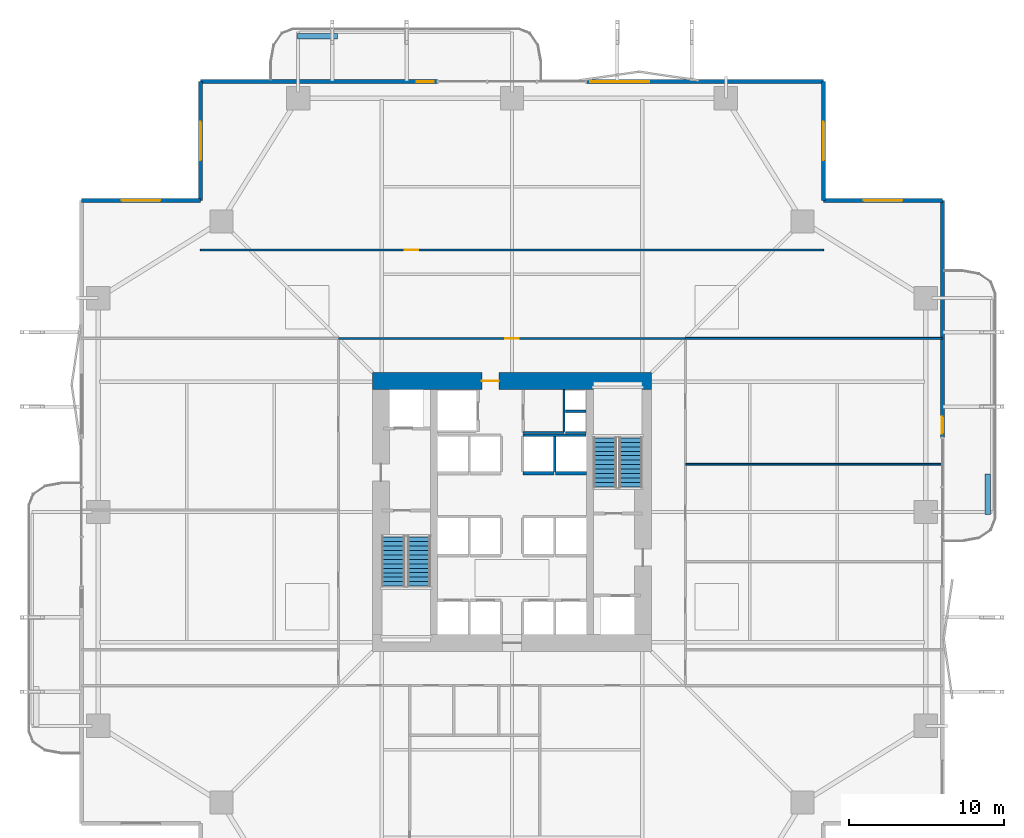
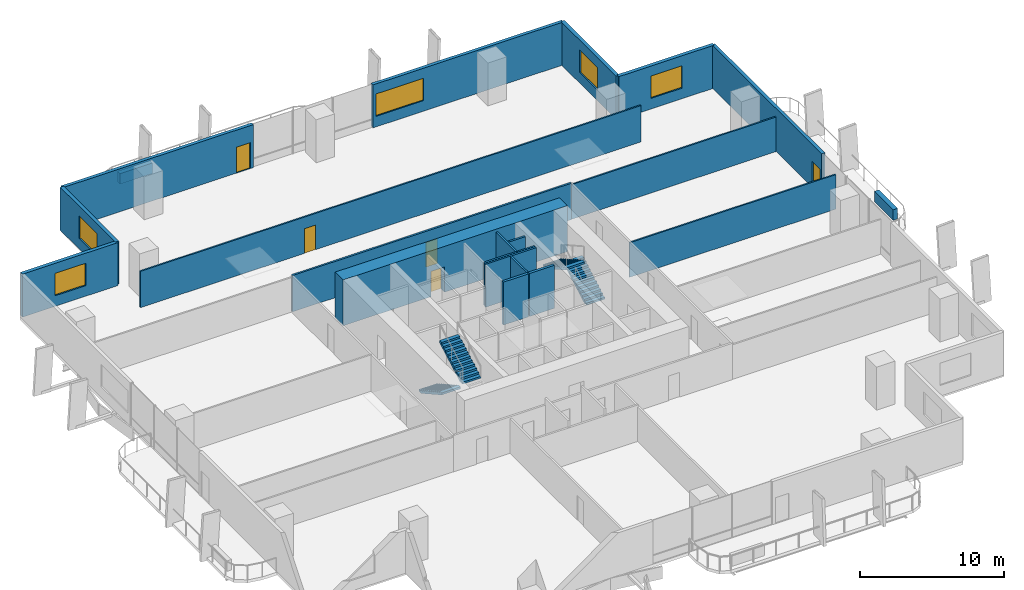
# One storey, part 19 of 24: 22 walls, 5 doors, 5 windows, 4 stair flights, 10 openings, 2 elements without a shape of their own.
"""IFC4 building model written with IfcOpenShell, lengths in metres."""

from ifc_helpers import new_model, si_unit, direction, frame, frame_2d, origin, place, context, subcontext, project, spatial, polyline, rectangle, outline, extrude, material, layer, layer_set, type_object, element, fill, aggregate, save


model = new_model("IFC4")

# Units and contexts
model_context = context("Model", 3, precision=1e-05, world=origin(), true_north=direction((0.0, 1.0)))
body_context = subcontext(model_context, "Body", "Model", "MODEL_VIEW")
ifc_project = project(units=[si_unit("LENGTHUNIT", "METRE"), si_unit("AREAUNIT", "SQUARE_METRE"), si_unit("VOLUMEUNIT", "CUBIC_METRE"), si_unit("PLANEANGLEUNIT", "RADIAN"), si_unit("MASSUNIT", "GRAM", prefix="KILO")], contexts=[model_context])

# Site, building, storey
site_placement = place(None, origin())
site = spatial("IfcSite", under=ifc_project, at=site_placement, CompositionType="ELEMENT")
building_placement = place(site_placement, origin())
building = spatial("IfcBuilding", under=site, at=building_placement, Name="Belovzor Exchange Tower", CompositionType="ELEMENT")
storey_placement = place(building_placement, frame((0.0, 0.0, 37.800048828125)))
storey = spatial("IfcBuildingStorey", under=building, at=storey_placement, Name="L08", CompositionType="ELEMENT", Elevation=37.800048828125)

# Wall, opening, door
ifc_material_1 = material(Name="Acoustic Plasterboard on Galvanised Studs", Category="gypsum")
ifc_layer_1 = layer(ifc_material_1, 0.1201171875)
ifc_layer_set_1 = layer_set([ifc_layer_1], Name="Acoustic Plasterboard on Galvanised Studs")
wall_type_1 = type_object("IfcWallType", Name="Acoustic Double-Stud Partition Wall 120", PredefinedType="PARTITIONING", material=ifc_layer_set_1)
wall_1_placement = place(storey_placement, frame((8.699951171875, 45.7099609375, 0.0), z_axis=(0.0, 0.0, 1.0), x_axis=(1.0, 0.0, 0.0)))
wall_1 = element("IfcWall", 1, at=wall_1_placement, inside=storey, type_object=wall_type_1, Name="W-P120 Partition Wall W-L08-NHDIV-0", PredefinedType="PARTITIONING", context=body_context, shape_type="SweptSolid", body=[
    extrude(rectangle(XDim=40.199951171875, YDim=0.1201171875, at=frame_2d((20.10009765625, 0.0))), origin(), (0.0, 0.0, 1.0), 3.0849609375),
])
opening_1_placement = place(wall_1_placement, frame((13.1669921875, 0.0, 0.0)))
opening_1 = element("IfcOpeningElement", 2, at=opening_1_placement, cuts=wall_1, Name="Opening D-INT-090", PredefinedType="OPENING", context=body_context, shape_type="SweptSolid", body=[
    extrude(rectangle(XDim=0.89990234375, YDim=2.10009765625, at=frame_2d((0.449951171875, 1.050048828125))), frame((0.0, 0.070068359375, 0.0), z_axis=(0.0, -1.0, 0.0), x_axis=(1.0, 0.0, 0.0)), (0.0, 0.0, 1.0), 0.14013671875),
])
ifc_material_2 = material(Name="Veneered Hardwood Acoustic Leaf", Category="wood")
door_type_1 = type_object("IfcDoorType", Name="Trading Suite Acoustic Single Door 900x2100", OperationType="NOTDEFINED", PredefinedType="DOOR", material=ifc_material_2)
door_1_placement = place(opening_1_placement, origin())
door_1 = element("IfcDoor", 3, at=door_1_placement, inside=storey, type_object=door_type_1, Name="D-INT-090 Trading Suite Acoustic Single Door 900x2100", OperationType="SINGLE_SWING_RIGHT", OverallHeight=2.10009765625, OverallWidth=0.89990234375, PredefinedType="DOOR", context=body_context, shape_type="SweptSolid", body=[
    extrude(rectangle(XDim=0.89990234375, YDim=2.10009765625, at=frame_2d((0.449951171875, 1.050048828125))), frame((0.0, 0.02490234375, 0.0), z_axis=(0.0, -1.0, 0.0), x_axis=(1.0, 0.0, 0.0)), (0.0, 0.0, 1.0), 0.050048828125),
])
fill(opening_1, door_1)

# Walls
for number, where, z_axis, x_axis, name in (
    (4, (40.0, 40.0, 0.0), (0.0, 0.0, 1.0), (1.0, 0.0, 0.0), "W-P120 Partition Wall W-L08-END-NE"),
    (5, (40.0, 31.884033203125, 0.0), (0.0, 0.0, 1.0), (1.0, 0.0, 0.0), "W-P120 Partition Wall W-L08-EDIV-3"),
):
    element("IfcWall", number, at=place(storey_placement, frame(where, z_axis=z_axis, x_axis=x_axis)), inside=storey, type_object=wall_type_1, Name=name, PredefinedType="PARTITIONING", context=body_context, shape_type="SweptSolid", body=[
        extrude(rectangle(XDim=16.570068359375, YDim=0.1201171875, at=frame_2d((8.28515625, 0.0))), origin(), (0.0, 0.0, 1.0), 2.93505859375),
    ])
ifc_material_3 = material(Name="Fire-Rated Gypsum Block and Mineral Wool", Category="gypsum")
ifc_layer_2 = layer(ifc_material_3, 0.14990234375)
ifc_layer_set_2 = layer_set([ifc_layer_2], Name="Fire-Rated Gypsum Block and Mineral Wool")
wall_type_2 = type_object("IfcWallType", Name="Fire-Rated Gypsum Block Corridor Wall 150", PredefinedType="PARTITIONING", material=ifc_layer_set_2)
wall_2_placement = place(storey_placement, frame((29.52490234375, 33.925048828125, 0.0), z_axis=(0.0, 0.0, 1.0), x_axis=(1.0, 0.0, 0.0)))
element("IfcWall", 6, at=wall_2_placement, inside=storey, type_object=wall_type_2, Name="W-P150 Partition Wall W-CRV-L08-S", PredefinedType="PARTITIONING", context=body_context, shape_type="SweptSolid", body=[
    extrude(rectangle(XDim=2.625, YDim=0.14990234375, at=frame_2d((1.3125, 0.0))), origin(), (0.0, 0.0, 1.0), 3.64990234375),
])

# Wall, opening, door
wall_3_placement = place(storey_placement, frame((17.60009765625, 40.0, 0.0), z_axis=(0.0, 0.0, 1.0), x_axis=(1.0, 0.0, 0.0)))
wall_3 = element("IfcWall", 7, at=wall_3_placement, inside=storey, type_object=wall_type_2, Name="W-P150 Partition Wall W-L08-CN", PredefinedType="PARTITIONING", context=body_context, shape_type="SweptSolid", body=[
    extrude(rectangle(XDim=22.39990234375, YDim=0.14990234375, at=frame_2d((11.199951171875, 0.0))), origin(), (0.0, 0.0, 1.0), 3.0849609375),
])
opening_2_placement = place(wall_3_placement, frame((10.75, 0.0, 0.0)))
opening_2 = element("IfcOpeningElement", 8, at=opening_2_placement, cuts=wall_3, Name="Opening D-INT-090", PredefinedType="OPENING", context=body_context, shape_type="SweptSolid", body=[
    extrude(rectangle(XDim=0.89990234375, YDim=2.10009765625, at=frame_2d((0.449951171875, 1.050048828125))), frame((0.0, 0.0849609375, 0.0), z_axis=(0.0, -1.0, 0.0), x_axis=(1.0, 0.0, 0.0)), (0.0, 0.0, 1.0), 0.169921875),
])
door_2_placement = place(opening_2_placement, origin())
door_2 = element("IfcDoor", 9, at=door_2_placement, inside=storey, type_object=door_type_1, Name="D-INT-090 Trading Suite Acoustic Single Door 900x2100", OperationType="SINGLE_SWING_RIGHT", OverallHeight=2.10009765625, OverallWidth=0.89990234375, PredefinedType="DOOR", context=body_context, shape_type="SweptSolid", body=[
    extrude(rectangle(XDim=0.89990234375, YDim=2.10009765625, at=frame_2d((0.449951171875, 1.050048828125))), frame((0.0, 0.02490234375, 0.0), z_axis=(0.0, -1.0, 0.0), x_axis=(1.0, 0.0, 0.0)), (0.0, 0.0, 1.0), 0.050048828125),
])
fill(opening_2, door_2)

# Wall, opening, window
ifc_material_4 = material(Name="Precast concrete C40/50", Category="concrete")
ifc_layer_3 = layer(ifc_material_4, 0.280029296875)
ifc_layer_set_3 = layer_set([ifc_layer_3], Name="Precast concrete C40/50")
wall_type_3 = type_object("IfcWallType", Name="Precast Concrete Notched Corner Frame Wall 280", PredefinedType="SOLIDWALL", material=ifc_layer_set_3)
wall_4_placement = place(storey_placement, frame((1.030029296875, 48.89990234375, 0.0), z_axis=(0.0, 0.0, 1.0), x_axis=(1.0, 0.0, 0.0)))
wall_4 = element("IfcWall", 10, at=wall_4_placement, inside=storey, type_object=wall_type_3, Name="W-CRN280 Precast Concrete Notched Corner Frame Wall 280 L08", PredefinedType="SOLIDWALL", context=body_context, shape_type="SweptSolid", body=[
    extrude(rectangle(XDim=7.669921875, YDim=0.280029296875, at=frame_2d((3.8349609375, 0.0))), origin(), (0.0, 0.0, 1.0), 3.64990234375),
])
opening_3_placement = place(wall_4_placement, frame((2.5849609375, 0.0, 0.89990234375)))
opening_3 = element("IfcOpeningElement", 11, at=opening_3_placement, cuts=wall_4, Name="Opening WN-CRN250", PredefinedType="OPENING", context=body_context, shape_type="SweptSolid", body=[
    extrude(rectangle(XDim=2.5, YDim=1.89990234375, at=frame_2d((1.25, 0.949951171875))), frame((0.0, 0.14990234375, 0.0), z_axis=(0.0, -1.0, 0.0), x_axis=(1.0, 0.0, 0.0)), (0.0, 0.0, 1.0), 0.300048828125),
])
ifc_material_5 = material(Name="Thermally Broken Aluminium and Triple Glazing", Category="aluminium")
window_type_1 = type_object("IfcWindowType", Name="Streamline Moderne Corner Wrap Ribbon Window 2500x1900", PartitioningType="SINGLE_PANEL", PredefinedType="WINDOW", material=ifc_material_5)
window_1_placement = place(opening_3_placement, origin())
window_1 = element("IfcWindow", 12, at=window_1_placement, inside=storey, type_object=window_type_1, Name="WN-CRN250 Streamline Moderne Corner Wrap Ribbon Window 2500x1900", OverallHeight=1.89990234375, OverallWidth=2.5, PartitioningType="SINGLE_PANEL", PredefinedType="WINDOW", context=body_context, shape_type="SweptSolid", body=[
    extrude(rectangle(XDim=2.5, YDim=1.89990234375, at=frame_2d((1.25, 0.949951171875))), frame((0.0, 0.030029296875, 0.0), z_axis=(0.0, -1.0, 0.0), x_axis=(1.0, 0.0, 0.0)), (0.0, 0.0, 1.0), 0.06005859375),
])
fill(opening_3, window_1)

wall_5_placement = place(storey_placement, frame((8.699951171875, 48.89990234375, 0.0), z_axis=(0.0, 0.0, 1.0), x_axis=(0.0, 1.0, 0.0)))
wall_5 = element("IfcWall", 13, at=wall_5_placement, inside=storey, type_object=wall_type_3, Name="W-CRN280 Precast Concrete Notched Corner Frame Wall 280 L08", PredefinedType="SOLIDWALL", context=body_context, shape_type="SweptSolid", body=[
    extrude(rectangle(XDim=7.670166015625, YDim=0.280029296875, at=frame_2d((3.8349609375, 0.0))), origin(), (0.0, 0.0, 1.0), 3.64990234375),
])
opening_4_placement = place(wall_5_placement, frame((2.5849609375, 0.0, 0.89990234375)))
opening_4 = element("IfcOpeningElement", 14, at=opening_4_placement, cuts=wall_5, Name="Opening WN-CRN250", PredefinedType="OPENING", context=body_context, shape_type="SweptSolid", body=[
    extrude(rectangle(XDim=2.5, YDim=1.89990234375, at=frame_2d((1.25, 0.949951171875))), frame((0.0, 0.14990234375, 0.0), z_axis=(0.0, -1.0, 0.0), x_axis=(1.0, 0.0, 0.0)), (0.0, 0.0, 1.0), 0.300048828125),
])
window_2_placement = place(opening_4_placement, origin())
window_2 = element("IfcWindow", 15, at=window_2_placement, inside=storey, type_object=window_type_1, Name="WN-CRN250 Streamline Moderne Corner Wrap Ribbon Window 2500x1900", OverallHeight=1.89990234375, OverallWidth=2.5, PartitioningType="SINGLE_PANEL", PredefinedType="WINDOW", context=body_context, shape_type="SweptSolid", body=[
    extrude(rectangle(XDim=2.5, YDim=1.89990234375, at=frame_2d((1.25, 0.949951171875))), frame((0.0, 0.030029296875, 0.0), z_axis=(0.0, -1.0, 0.0), x_axis=(1.0, 0.0, 0.0)), (0.0, 0.0, 1.0), 0.06005859375),
])
fill(opening_4, window_2)

wall_6_placement = place(storey_placement, frame((48.89990234375, 56.570068359375, 0.0), z_axis=(0.0, 0.0, 1.0), x_axis=(0.0, -1.0, 0.0)))
wall_6 = element("IfcWall", 16, at=wall_6_placement, inside=storey, type_object=wall_type_3, Name="W-CRN280 Precast Concrete Notched Corner Frame Wall 280 L08", PredefinedType="SOLIDWALL", context=body_context, shape_type="SweptSolid", body=[
    extrude(rectangle(XDim=7.670166015625, YDim=0.280029296875, at=frame_2d((3.8349609375, 0.0))), origin(), (0.0, 0.0, 1.0), 3.64990234375),
])
opening_5_placement = place(wall_6_placement, frame((2.5849609375, 0.0, 0.89990234375)))
opening_5 = element("IfcOpeningElement", 17, at=opening_5_placement, cuts=wall_6, Name="Opening WN-CRN250", PredefinedType="OPENING", context=body_context, shape_type="SweptSolid", body=[
    extrude(rectangle(XDim=2.5, YDim=1.89990234375, at=frame_2d((1.25, 0.949951171875))), frame((0.0, 0.14990234375, 0.0), z_axis=(0.0, -1.0, 0.0), x_axis=(1.0, 0.0, 0.0)), (0.0, 0.0, 1.0), 0.300048828125),
])
window_3_placement = place(opening_5_placement, origin())
window_3 = element("IfcWindow", 18, at=window_3_placement, inside=storey, type_object=window_type_1, Name="WN-CRN250 Streamline Moderne Corner Wrap Ribbon Window 2500x1900", OverallHeight=1.89990234375, OverallWidth=2.5, PartitioningType="SINGLE_PANEL", PredefinedType="WINDOW", context=body_context, shape_type="SweptSolid", body=[
    extrude(rectangle(XDim=2.5, YDim=1.89990234375, at=frame_2d((1.25, 0.949951171875))), frame((0.0, 0.030029296875, 0.0), z_axis=(0.0, -1.0, 0.0), x_axis=(1.0, 0.0, 0.0)), (0.0, 0.0, 1.0), 0.06005859375),
])
fill(opening_5, window_3)

wall_7_placement = place(storey_placement, frame((48.89990234375, 48.89990234375, 0.0), z_axis=(0.0, 0.0, 1.0), x_axis=(1.0, 0.0, 0.0)))
wall_7 = element("IfcWall", 19, at=wall_7_placement, inside=storey, type_object=wall_type_3, Name="W-CRN280 Precast Concrete Notched Corner Frame Wall 280 L08", PredefinedType="SOLIDWALL", context=body_context, shape_type="SweptSolid", body=[
    extrude(rectangle(XDim=7.670166015625, YDim=0.280029296875, at=frame_2d((3.8349609375, 0.0))), origin(), (0.0, 0.0, 1.0), 3.64990234375),
])
opening_6_placement = place(wall_7_placement, frame((2.5849609375, 0.0, 0.89990234375)))
opening_6 = element("IfcOpeningElement", 20, at=opening_6_placement, cuts=wall_7, Name="Opening WN-CRN250", PredefinedType="OPENING", context=body_context, shape_type="SweptSolid", body=[
    extrude(rectangle(XDim=2.5, YDim=1.89990234375, at=frame_2d((1.25, 0.949951171875))), frame((0.0, 0.14990234375, 0.0), z_axis=(0.0, -1.0, 0.0), x_axis=(1.0, 0.0, 0.0)), (0.0, 0.0, 1.0), 0.300048828125),
])
window_4_placement = place(opening_6_placement, origin())
window_4 = element("IfcWindow", 21, at=window_4_placement, inside=storey, type_object=window_type_1, Name="WN-CRN250 Streamline Moderne Corner Wrap Ribbon Window 2500x1900", OverallHeight=1.89990234375, OverallWidth=2.5, PartitioningType="SINGLE_PANEL", PredefinedType="WINDOW", context=body_context, shape_type="SweptSolid", body=[
    extrude(rectangle(XDim=2.5, YDim=1.89990234375, at=frame_2d((1.25, 0.949951171875))), frame((0.0, 0.030029296875, 0.0), z_axis=(0.0, -1.0, 0.0), x_axis=(1.0, 0.0, 0.0)), (0.0, 0.0, 1.0), 0.06005859375),
])
fill(opening_6, window_4)

# Wall, opening, door
ifc_material_6 = material(Name="Precast concrete C40/50", Category="concrete")
ifc_layer_4 = layer(ifc_material_6, 0.260009765625)
ifc_layer_set_4 = layer_set([ifc_layer_4], Name="Precast concrete C40/50")
wall_type_4 = type_object("IfcWallType", Name="Precast Concrete Perimeter Loggia Frame Wall 260", PredefinedType="SOLIDWALL", material=ifc_layer_set_4)
wall_8_placement = place(storey_placement, frame((8.699951171875, 56.570068359375, 0.0), z_axis=(0.0, 0.0, 1.0), x_axis=(1.0, 0.0, 0.0)))
wall_8 = element("IfcWall", 22, at=wall_8_placement, inside=storey, type_object=wall_type_4, Name="W-EXT260 Precast Concrete Perimeter Loggia Frame Wall 260 L08", PredefinedType="SOLIDWALL", context=body_context, shape_type="SweptSolid", body=[
    extrude(rectangle(XDim=15.300048828125, YDim=0.260009765625, at=frame_2d((7.64990234375, 0.0))), origin(), (0.0, 0.0, 1.0), 3.64990234375),
])
opening_7_placement = place(wall_8_placement, frame((13.949951171875, 0.0, 0.0)))
opening_7 = element("IfcOpeningElement", 23, at=opening_7_placement, cuts=wall_8, Name="Opening D-BAL110", PredefinedType="OPENING", context=body_context, shape_type="SweptSolid", body=[
    extrude(rectangle(XDim=1.10009765625, YDim=2.199951171875, at=frame_2d((0.550048828125, 1.10009765625))), frame((0.0, 0.139892578125, 0.0), z_axis=(0.0, -1.0, 0.0), x_axis=(1.0, 0.0, 0.0)), (0.0, 0.0, 1.0), 0.280029296875),
])
ifc_material_7 = material(Name="Thermally Broken Anodised Aluminium and Laminated Glass", Category="aluminium")
door_type_2 = type_object("IfcDoorType", Name="Planted Loggia Terrace Glazed Door 1100x2200", OperationType="SINGLE_SWING_LEFT", PredefinedType="DOOR", material=ifc_material_7)
door_3_placement = place(opening_7_placement, origin())
door_3 = element("IfcDoor", 24, at=door_3_placement, inside=storey, type_object=door_type_2, Name="D-BAL110 Balcony Terrace Door L08 N", OperationType="SINGLE_SWING_RIGHT", OverallHeight=2.199951171875, OverallWidth=1.10009765625, PredefinedType="DOOR", context=body_context, shape_type="SweptSolid", body=[
    extrude(rectangle(XDim=1.10009765625, YDim=2.199951171875, at=frame_2d((0.550048828125, 1.10009765625))), frame((0.0, 0.02490234375, 0.0), z_axis=(0.0, -1.0, 0.0), x_axis=(1.0, 0.0, 0.0)), (0.0, 0.0, 1.0), 0.050048828125),
])
fill(opening_7, door_3)

# Wall, opening, window
wall_9_placement = place(storey_placement, frame((33.60009765625, 56.570068359375, 0.0), z_axis=(0.0, 0.0, 1.0), x_axis=(1.0, 0.0, 0.0)))
wall_9 = element("IfcWall", 25, at=wall_9_placement, inside=storey, type_object=wall_type_4, Name="W-EXT260 Precast Concrete Perimeter Loggia Frame Wall 260 L08", PredefinedType="SOLIDWALL", context=body_context, shape_type="SweptSolid", body=[
    extrude(rectangle(XDim=15.2998046875, YDim=0.260009765625, at=frame_2d((7.64990234375, 0.0))), origin(), (0.0, 0.0, 1.0), 3.64990234375),
])
opening_8_placement = place(wall_9_placement, frame((0.25, 0.0, 0.89990234375)))
opening_8 = element("IfcOpeningElement", 26, at=opening_8_placement, cuts=wall_9, Name="Opening WN-RIB380", PredefinedType="OPENING", context=body_context, shape_type="SweptSolid", body=[
    extrude(rectangle(XDim=3.800048828125, YDim=1.89990234375, at=frame_2d((1.89990234375, 0.949951171875))), frame((0.0, 0.139892578125, 0.0), z_axis=(0.0, -1.0, 0.0), x_axis=(1.0, 0.0, 0.0)), (0.0, 0.0, 1.0), 0.280029296875),
])
ifc_material_8 = material(Name="Thermally Broken Aluminium and Triple Glazing", Category="aluminium")
window_type_2 = type_object("IfcWindowType", Name="Streamline Moderne Horizontal Ribbon Window 3800x1900", PartitioningType="SINGLE_PANEL", PredefinedType="WINDOW", material=ifc_material_8)
window_5_placement = place(opening_8_placement, origin())
window_5 = element("IfcWindow", 27, at=window_5_placement, inside=storey, type_object=window_type_2, Name="WN-RIB380 Streamline Moderne Horizontal Ribbon Window 3800x1900", OverallHeight=1.89990234375, OverallWidth=3.800048828125, PartitioningType="SINGLE_PANEL", PredefinedType="WINDOW", context=body_context, shape_type="SweptSolid", body=[
    extrude(rectangle(XDim=3.800048828125, YDim=1.89990234375, at=frame_2d((1.89990234375, 0.949951171875))), frame((0.0, 0.030029296875, 0.0), z_axis=(0.0, -1.0, 0.0), x_axis=(1.0, 0.0, 0.0)), (0.0, 0.0, 1.0), 0.06005859375),
])
fill(opening_8, window_5)

# Wall, opening, door
wall_10_placement = place(storey_placement, frame((56.570068359375, 48.89990234375, 0.0), z_axis=(0.0, 0.0, 1.0), x_axis=(0.0, -1.0, 0.0)))
wall_10 = element("IfcWall", 28, at=wall_10_placement, inside=storey, type_object=wall_type_4, Name="W-EXT260 Precast Concrete Perimeter Loggia Frame Wall 260 L08", PredefinedType="SOLIDWALL", context=body_context, shape_type="SweptSolid", body=[
    extrude(rectangle(XDim=15.2998046875, YDim=0.260009765625, at=frame_2d((7.64990234375, 0.0))), origin(), (0.0, 0.0, 1.0), 3.64990234375),
])
opening_9_placement = place(wall_10_placement, frame((13.949951171875, 0.0, 0.0)))
opening_9 = element("IfcOpeningElement", 29, at=opening_9_placement, cuts=wall_10, Name="Opening D-BAL110", PredefinedType="OPENING", context=body_context, shape_type="SweptSolid", body=[
    extrude(rectangle(XDim=1.10009765625, YDim=2.199951171875, at=frame_2d((0.550048828125, 1.10009765625))), frame((0.0, 0.139892578125, 0.0), z_axis=(0.0, -1.0, 0.0), x_axis=(1.0, 0.0, 0.0)), (0.0, 0.0, 1.0), 0.280029296875),
])
door_4_placement = place(opening_9_placement, origin())
door_4 = element("IfcDoor", 30, at=door_4_placement, inside=storey, type_object=door_type_2, Name="D-BAL110 Balcony Terrace Door L08 E", OperationType="SINGLE_SWING_LEFT", OverallHeight=2.199951171875, OverallWidth=1.10009765625, PredefinedType="DOOR", context=body_context, shape_type="SweptSolid", body=[
    extrude(rectangle(XDim=1.10009765625, YDim=2.199951171875, at=frame_2d((0.550048828125, 1.10009765625))), frame((0.0, 0.02490234375, 0.0), z_axis=(0.0, -1.0, 0.0), x_axis=(1.0, 0.0, 0.0)), (0.0, 0.0, 1.0), 0.050048828125),
])
fill(opening_9, door_4)

# Walls
ifc_material_9 = material(Name="Precast concrete C40/50", Category="concrete")
ifc_layer_5 = layer(ifc_material_9, 0.35009765625)
ifc_layer_set_5 = layer_set([ifc_layer_5], Name="Precast concrete C40/50")
wall_type_5 = type_object("IfcWallType", Name="Precast Concrete Structural Tree Planter Trough 350", PredefinedType="PARAPET", material=ifc_layer_set_5)
for number, where, z_axis, x_axis, name in (
    (31, (14.949951171875, 59.5, 0.0), (0.0, 0.0, 1.0), (1.0, 0.0, 0.0), "PT-350 Precast Concrete Structural Tree Planter Trough 350 L08"),
    (32, (59.5, 28.64990234375, 0.0), (0.0, 0.0, 1.0), (0.0, 1.0, 0.0), "PT-350 Precast Concrete Structural Tree Planter Trough 350 L08"),
):
    element("IfcWall", number, at=place(storey_placement, frame(where, z_axis=z_axis, x_axis=x_axis)), inside=storey, type_object=wall_type_5, Name=name, PredefinedType="PARAPET", context=body_context, shape_type="SweptSolid", body=[
        extrude(rectangle(XDim=2.60009765625, YDim=0.35009765625, at=frame_2d((1.300048828125, 0.0))), origin(), (0.0, 0.0, 1.0), 0.89990234375),
    ])
ifc_material_10 = material(Name="Concrete C50/60", Category="concrete")
ifc_layer_6 = layer(ifc_material_10, 0.14990234375)
ifc_layer_set_6 = layer_set([ifc_layer_6], Name="Concrete C50/60")
wall_type_6 = type_object("IfcWallType", Name="Reinforced Concrete Core Riser Shear Wall 150", PredefinedType="SHEAR", material=ifc_layer_set_6)
wall_11_placement = place(storey_placement, frame((32.14990234375, 34.0, 0.0), z_axis=(0.0, 0.0, 1.0), x_axis=(0.0, 1.0, 0.0)))
element("IfcWall", 33, at=wall_11_placement, inside=storey, type_object=wall_type_6, Name="W-C150S Core Shaft Wall W-RSR-L08-E", PredefinedType="SHEAR", context=body_context, shape_type="SweptSolid", body=[
    extrude(rectangle(XDim=2.699951171875, YDim=0.14990234375, at=frame_2d((1.35009765625, 0.0))), origin(), (0.0, 0.0, 1.0), 3.64990234375),
])
for number, where, z_axis, x_axis, name in (
    (34, (32.25, 33.925048828125, 0.0), (0.0, 0.0, 1.0), (1.0, 0.0, 0.0), "W-C150S Core Shaft Wall W-RSR-L08-S"),
    (35, (32.25, 35.300048828125, 0.0), (0.0, 0.0, 1.0), (1.0, 0.0, 0.0), "W-C150S Core Shaft Wall W-RSR-L08-M"),
):
    element("IfcWall", number, at=place(storey_placement, frame(where, z_axis=z_axis, x_axis=x_axis)), inside=storey, type_object=wall_type_6, Name=name, PredefinedType="SHEAR", context=body_context, shape_type="SweptSolid", body=[
        extrude(rectangle(XDim=1.330078125, YDim=0.14990234375, at=frame_2d((0.6650390625, 0.0))), origin(), (0.0, 0.0, 1.0), 3.64990234375),
    ])
wall_12_placement = place(storey_placement, frame((29.5, 33.760009765625, 0.0), z_axis=(0.0, 0.0, 1.0), x_axis=(1.0, 0.0, 0.0)))
element("IfcWall", 36, at=wall_12_placement, inside=storey, type_object=wall_type_6, Name="W-C150S Core Shaft Wall W-SHB-L08-PLH-NE", PredefinedType="SHEAR", context=body_context, shape_type="SweptSolid", body=[
    extrude(rectangle(XDim=4.080078125, YDim=0.14990234375, at=frame_2d((2.0400390625, 0.0))), origin(), (0.0, 0.0, 1.0), 3.64990234375),
])
wall_13_placement = place(storey_placement, frame((31.550048828125, 31.419921875, 0.0), z_axis=(0.0, 0.0, 1.0), x_axis=(0.0, 1.0, 0.0)))
element("IfcWall", 37, at=wall_13_placement, inside=storey, type_object=wall_type_6, Name="W-C150S Core Shaft Wall W-SHD-L08-PLH-4", PredefinedType="SHEAR", context=body_context, shape_type="SweptSolid", body=[
    extrude(rectangle(XDim=2.239990234375, YDim=0.14990234375, at=frame_2d((1.1201171875, 0.0))), origin(), (0.0, 0.0, 1.0), 3.64990234375),
])
ifc_material_11 = material(Name="Concrete C50/60", Category="concrete")
ifc_layer_7 = layer(ifc_material_11, 0.199951171875)
ifc_layer_set_7 = layer_set([ifc_layer_7], Name="Concrete C50/60")
wall_type_7 = type_object("IfcWallType", Name="Reinforced Concrete Core Shaft Shear Wall 200", PredefinedType="SHEAR", material=ifc_layer_set_7)
for number, where, z_axis, x_axis, name in (
    (38, (29.5, 31.300048828125, 0.0), (0.0, 0.0, 1.0), (1.0, 0.0, 0.0), "W-C200S Core Shaft Wall W-SH-L08-PL-H3"),
    (39, (31.60009765625, 31.300048828125, 0.0), (0.0, 0.0, 1.0), (1.0, 0.0, 0.0), "W-C200S Core Shaft Wall W-SH-L08-PL-H4"),
):
    element("IfcWall", number, at=place(storey_placement, frame(where, z_axis=z_axis, x_axis=x_axis)), inside=storey, type_object=wall_type_7, Name=name, PredefinedType="SHEAR", context=body_context, shape_type="SweptSolid", body=[
        extrude(rectangle(XDim=2.0, YDim=0.199951171875, at=frame_2d((1.0, 0.0))), origin(), (0.0, 0.0, 1.0), 3.64990234375),
    ])

# Wall, opening, door
ifc_material_12 = material(Name="Concrete C60/75", Category="concrete")
ifc_layer_8 = layer(ifc_material_12, 1.10009765625)
ifc_layer_set_8 = layer_set([ifc_layer_8], Name="Concrete C60/75")
wall_type_8 = type_object("IfcWallType", Name="Reinforced Concrete Core Shear Wall 1100", PredefinedType="SHEAR", material=ifc_layer_set_8)
wall_14_placement = place(storey_placement, frame((19.800048828125, 37.25, 0.0), z_axis=(0.0, 0.0, 1.0), x_axis=(1.0, 0.0, 0.0)))
wall_14 = element("IfcWall", 40, at=wall_14_placement, inside=storey, type_object=wall_type_8, Name="CW-S110 Core Shear Wall L08 N", PredefinedType="SHEAR", context=body_context, shape_type="SweptSolid", body=[
    extrude(rectangle(XDim=18.0, YDim=1.10009765625, at=frame_2d((9.0, 0.0))), origin(), (0.0, 0.0, 1.0), 3.89990234375),
])
opening_10_placement = place(wall_14_placement, frame((7.050048828125, 0.0, 0.0)))
opening_10 = element("IfcOpeningElement", 41, at=opening_10_placement, cuts=wall_14, Name="Opening D-FD90-110", PredefinedType="OPENING", context=body_context, shape_type="SweptSolid", body=[
    extrude(rectangle(XDim=1.10009765625, YDim=2.14990234375, at=frame_2d((0.550048828125, 1.074951171875))), frame((0.0, 0.56005859375, 0.0), z_axis=(0.0, -1.0, 0.0), x_axis=(1.0, 0.0, 0.0)), (0.0, 0.0, 1.0), 1.1201171875),
])
ifc_material_13 = material(Name="Fire-Rated Galvanised Steel Leaf", Category="steel")
door_type_3 = type_object("IfcDoorType", Name="Protected Escape Vestibule Fire Door 1100x2150", OperationType="NOTDEFINED", PredefinedType="DOOR", material=ifc_material_13)
door_5_placement = place(opening_10_placement, origin())
door_5 = element("IfcDoor", 42, at=door_5_placement, inside=storey, type_object=door_type_3, Name="D-FD90-110 Protected Escape Vestibule Fire Door 1100x2150", OperationType="SINGLE_SWING_RIGHT", OverallHeight=2.14990234375, OverallWidth=1.10009765625, PredefinedType="DOOR", context=body_context, shape_type="SweptSolid", body=[
    extrude(rectangle(XDim=1.10009765625, YDim=2.14990234375, at=frame_2d((0.550048828125, 1.074951171875))), frame((0.0, 0.02490234375, 0.0), z_axis=(0.0, -1.0, 0.0), x_axis=(1.0, 0.0, 0.0)), (0.0, 0.0, 1.0), 0.050048828125),
])
fill(opening_10, door_5)

# Stair, stair flights
ifc_material_14 = material(Name="Concrete C40/50", Category="concrete")
stair_type = type_object("IfcStairType", Name="Reinforced Concrete Dogleg Escape Stair 1350", PredefinedType="HALF_TURN_STAIR", material=ifc_material_14)
stair_1_placement = place(storey_placement, origin())
stair_1 = element("IfcStair", 43, at=stair_1_placement, inside=storey, type_object=stair_type, Name="L08 ST-1", PredefinedType="HALF_TURN_STAIR")
ifc_material_15 = material(Name="Concrete C40/50", Category="concrete")
stair_flight_type = type_object("IfcStairFlightType", Name="Reinforced Concrete Stair Flight 1350", PredefinedType="STRAIGHT", material=ifc_material_15)
stair_flight_1_placement = place(storey_placement, frame((21.14990234375, 27.199951171875, 0.0), z_axis=(0.0, 0.0, 1.0), x_axis=(0.0, -1.0, 0.0)))
stair_flight_1 = element("IfcStairFlight", 44, at=stair_flight_1_placement, type_object=stair_flight_type, Name="ST-1 flight 1", NumberOfRisers=12, NumberOfTreads=11, PredefinedType="STRAIGHT", RiserHeight=0.1625, TreadLength=0.29, context=body_context, shape_type="SweptSolid", body=[
    extrude(outline(polyline([(0.0, 0.0), (0.0, 0.16259765625), (0.2900390625, 0.16259765625), (0.2900390625, 0.324951171875), (0.580078125, 0.324951171875), (0.580078125, 0.487548828125), (0.8701171875, 0.487548828125), (0.8701171875, 0.64990234375), (1.159912109375, 0.64990234375), (1.159912109375, 0.8125), (1.449951171875, 0.8125), (1.449951171875, 0.97509765625), (1.739990234375, 0.97509765625), (1.739990234375, 1.137451171875), (2.030029296875, 1.137451171875), (2.030029296875, 1.300048828125), (2.320068359375, 1.300048828125), (2.320068359375, 1.46240234375), (2.610107421875, 1.46240234375), (2.610107421875, 1.625), (2.89990234375, 1.625), (2.89990234375, 1.78759765625), (3.18994140625, 1.78759765625), (3.18994140625, 1.949951171875), (3.18994140625, 1.61572265625), (0.306640625, 0.0), (0.0, 0.0)])), frame((0.0, 0.75, 0.0), z_axis=(0.0, -1.0, 0.0), x_axis=(1.0, 0.0, 0.0)), (0.0, 0.0, 1.0), 1.5),
])
stair_flight_2_placement = place(storey_placement, frame((22.800048828125, 24.010009765625, 1.949951171875), z_axis=(0.0, 0.0, 1.0), x_axis=(0.0, 1.0, 0.0)))
stair_flight_2 = element("IfcStairFlight", 45, at=stair_flight_2_placement, type_object=stair_flight_type, Name="ST-1 flight 2", NumberOfRisers=12, NumberOfTreads=11, PredefinedType="STRAIGHT", RiserHeight=0.1625, TreadLength=0.29, context=body_context, shape_type="SweptSolid", body=[
    extrude(outline(polyline([(0.0, 0.0), (0.0, 0.16259765625), (0.2900390625, 0.16259765625), (0.2900390625, 0.324951171875), (0.580078125, 0.324951171875), (0.580078125, 0.487548828125), (0.8701171875, 0.487548828125), (0.8701171875, 0.64990234375), (1.159912109375, 0.64990234375), (1.159912109375, 0.8125), (1.449951171875, 0.8125), (1.449951171875, 0.97509765625), (1.739990234375, 0.97509765625), (1.739990234375, 1.137451171875), (2.030029296875, 1.137451171875), (2.030029296875, 1.300048828125), (2.320068359375, 1.300048828125), (2.320068359375, 1.46240234375), (2.610107421875, 1.46240234375), (2.610107421875, 1.625), (2.89990234375, 1.625), (2.89990234375, 1.78759765625), (3.18994140625, 1.78759765625), (3.18994140625, 1.949951171875), (3.18994140625, 1.61572265625), (0.306640625, 0.0), (0.0, 0.0)])), frame((0.0, 0.75, 0.0), z_axis=(0.0, -1.0, 0.0), x_axis=(1.0, 0.0, 0.0)), (0.0, 0.0, 1.0), 1.5),
])
aggregate(stair_1, [stair_flight_1, stair_flight_2])

stair_2_placement = place(storey_placement, origin())
stair_2 = element("IfcStair", 46, at=stair_2_placement, inside=storey, type_object=stair_type, Name="L08 ST-2", PredefinedType="HALF_TURN_STAIR")
stair_flight_3_placement = place(storey_placement, frame((36.449951171875, 30.39990234375, 0.0), z_axis=(0.0, 0.0, 1.0), x_axis=(0.0, 1.0, 0.0)))
stair_flight_3 = element("IfcStairFlight", 47, at=stair_flight_3_placement, type_object=stair_flight_type, Name="ST-2 flight 1", NumberOfRisers=12, NumberOfTreads=11, PredefinedType="STRAIGHT", RiserHeight=0.1625, TreadLength=0.29, context=body_context, shape_type="SweptSolid", body=[
    extrude(outline(polyline([(0.0, 0.0), (0.0, 0.16259765625), (0.2900390625, 0.16259765625), (0.2900390625, 0.324951171875), (0.580078125, 0.324951171875), (0.580078125, 0.487548828125), (0.8701171875, 0.487548828125), (0.8701171875, 0.64990234375), (1.159912109375, 0.64990234375), (1.159912109375, 0.8125), (1.449951171875, 0.8125), (1.449951171875, 0.97509765625), (1.739990234375, 0.97509765625), (1.739990234375, 1.137451171875), (2.030029296875, 1.137451171875), (2.030029296875, 1.300048828125), (2.320068359375, 1.300048828125), (2.320068359375, 1.46240234375), (2.610107421875, 1.46240234375), (2.610107421875, 1.625), (2.89990234375, 1.625), (2.89990234375, 1.78759765625), (3.18994140625, 1.78759765625), (3.18994140625, 1.949951171875), (3.18994140625, 1.61572265625), (0.306640625, 0.0), (0.0, 0.0)])), frame((0.0, 0.75, 0.0), z_axis=(0.0, -1.0, 0.0), x_axis=(1.0, 0.0, 0.0)), (0.0, 0.0, 1.0), 1.5),
])
stair_flight_4_placement = place(storey_placement, frame((34.800048828125, 33.590087890625, 1.949951171875), z_axis=(0.0, 0.0, 1.0), x_axis=(0.0, -1.0, 0.0)))
stair_flight_4 = element("IfcStairFlight", 48, at=stair_flight_4_placement, type_object=stair_flight_type, Name="ST-2 flight 2", NumberOfRisers=12, NumberOfTreads=11, PredefinedType="STRAIGHT", RiserHeight=0.1625, TreadLength=0.29, context=body_context, shape_type="SweptSolid", body=[
    extrude(outline(polyline([(0.0, 0.0), (0.0, 0.16259765625), (0.2900390625, 0.16259765625), (0.2900390625, 0.324951171875), (0.580078125, 0.324951171875), (0.580078125, 0.487548828125), (0.8701171875, 0.487548828125), (0.8701171875, 0.64990234375), (1.159912109375, 0.64990234375), (1.159912109375, 0.8125), (1.449951171875, 0.8125), (1.449951171875, 0.97509765625), (1.739990234375, 0.97509765625), (1.739990234375, 1.137451171875), (2.030029296875, 1.137451171875), (2.030029296875, 1.300048828125), (2.320068359375, 1.300048828125), (2.320068359375, 1.46240234375), (2.610107421875, 1.46240234375), (2.610107421875, 1.625), (2.89990234375, 1.625), (2.89990234375, 1.78759765625), (3.18994140625, 1.78759765625), (3.18994140625, 1.949951171875), (3.18994140625, 1.61572265625), (0.306640625, 0.0), (0.0, 0.0)])), frame((0.0, 0.75, 0.0), z_axis=(0.0, -1.0, 0.0), x_axis=(1.0, 0.0, 0.0)), (0.0, 0.0, 1.0), 1.5),
])
aggregate(stair_2, [stair_flight_3, stair_flight_4])

save(model, "model.ifc")
